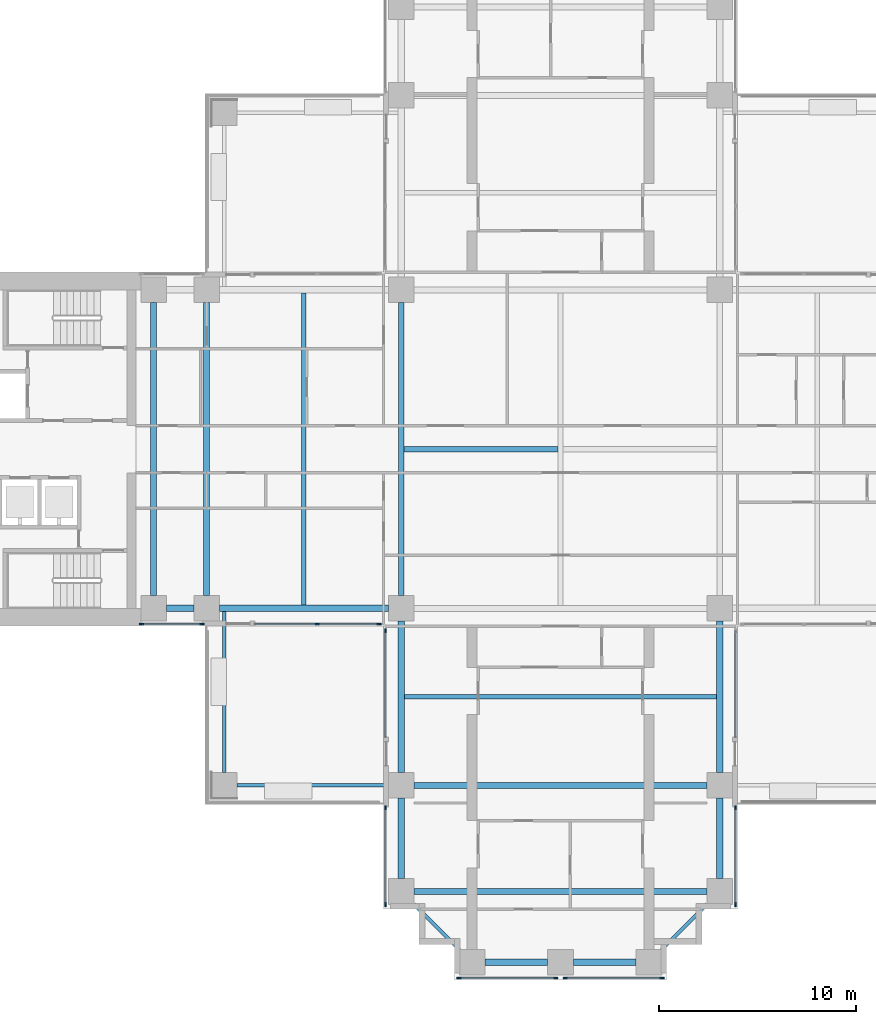
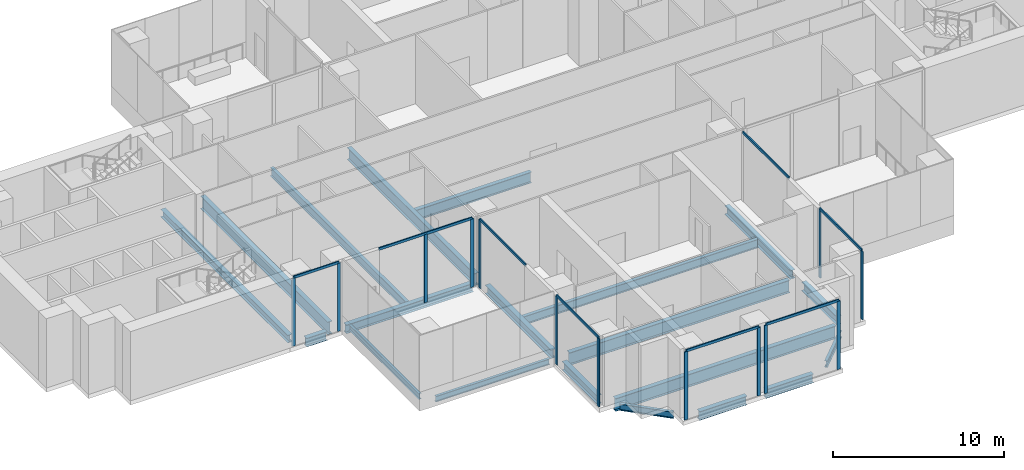
# One storey, part 2 of 17: 21 members, 20 beams, 8 elements without a shape of their own.
"""IFC4 building model written with IfcOpenShell, lengths in metres."""

from ifc_helpers import new_model, si_unit, direction, frame, origin, origin_2d, place, context, subcontext, project, spatial, rectangle, i_section, extrude, material, material_profile, profile_set, type_object, element, aggregate, save


model = new_model("IFC4")

# Units and contexts
model_context = context("Model", 3, precision=1e-05, world=origin(), true_north=direction((0.0, 1.0)))
body_context = subcontext(model_context, "Body", "Model", "MODEL_VIEW")
ifc_project = project(units=[si_unit("LENGTHUNIT", "METRE"), si_unit("AREAUNIT", "SQUARE_METRE"), si_unit("VOLUMEUNIT", "CUBIC_METRE"), si_unit("PLANEANGLEUNIT", "RADIAN"), si_unit("MASSUNIT", "GRAM", prefix="KILO")], contexts=[model_context])

# Site, building, storey
site_placement = place(None, origin())
site = spatial("IfcSite", under=ifc_project, at=site_placement, CompositionType="ELEMENT")
building_placement = place(site_placement, origin())
building = spatial("IfcBuilding", under=site, at=building_placement, Name="Perihelion Cross Residences", CompositionType="ELEMENT")
storey_placement = place(building_placement, frame((0.0, 0.0, 92.5)))
storey = spatial("IfcBuildingStorey", under=building, at=storey_placement, Name="L21", CompositionType="ELEMENT", Elevation=92.5)

# Curtain wall, members
ifc_material_1 = material(Name="Bronze anodised aluminium, tinted glazing", Category="aluminium")
curtain_wall_type = type_object("IfcCurtainWallType", Name="CW3", PredefinedType="NOTDEFINED", material=ifc_material_1)
curtain_wall_1_placement = place(storey_placement, origin())
curtain_wall_1 = element("IfcCurtainWall", 1, at=curtain_wall_1_placement, inside=storey, type_object=curtain_wall_type, Name="Curtain wall CW3 L21 west side south bay 1", PredefinedType="NOTDEFINED")
ifc_material_2 = material(Name="Bronze anodised aluminium", Category="aluminium")
ifc_material_profile_1 = material_profile(ifc_material_2, rectangle(XDim=0.080078125, YDim=0.219970703125, at=origin_2d()), Name="CW3 mullion")
ifc_profile_set_1 = profile_set([ifc_material_profile_1], Name="Bronze anodised aluminium")
member_type_1 = type_object("IfcMemberType", Name="CW3 mullion", PredefinedType="MULLION", material=ifc_profile_set_1)
member_1_placement = place(storey_placement, frame((-21.31005859375, -8.89990234375, 0.0), z_axis=(0.0, 0.0, 1.0), x_axis=(0.0, 1.0, 0.0)))
member_1 = element("IfcMember", 2, at=member_1_placement, type_object=member_type_1, Name="CW3 mullion 1", PredefinedType="MULLION", context=body_context, shape_type="SweptSolid", body=[
    extrude(rectangle(XDim=0.080078125, YDim=0.219970703125, at=origin_2d()), origin(), (0.0, 0.0, 1.0), 4.8701171875),
])
member_2_placement = place(storey_placement, frame((-18.239990234375, -8.89990234375, 0.0), z_axis=(0.0, 0.0, 1.0), x_axis=(0.0, 1.0, 0.0)))
member_2 = element("IfcMember", 3, at=member_2_placement, type_object=member_type_1, Name="CW3 mullion 2", PredefinedType="MULLION", context=body_context, shape_type="SweptSolid", body=[
    extrude(rectangle(XDim=0.080078125, YDim=0.219970703125, at=origin_2d()), origin(), (0.0, 0.0, 1.0), 4.8701171875),
])

curtain_wall_2_placement = place(storey_placement, origin())
curtain_wall_2 = element("IfcCurtainWall", 4, at=curtain_wall_2_placement, inside=storey, type_object=curtain_wall_type, Name="Curtain wall CW3 L21 west side south bay 2", PredefinedType="NOTDEFINED")
member_3_placement = place(storey_placement, frame((-12.375, -8.89990234375, 0.0), z_axis=(0.0, 0.0, 1.0), x_axis=(0.0, 1.0, 0.0)))
member_3 = element("IfcMember", 5, at=member_3_placement, type_object=member_type_1, Name="CW3 mullion 2", PredefinedType="MULLION", context=body_context, shape_type="SweptSolid", body=[
    extrude(rectangle(XDim=0.080078125, YDim=0.219970703125, at=origin_2d()), origin(), (0.0, 0.0, 1.0), 4.8701171875),
])
member_4_placement = place(storey_placement, frame((-9.239990234375, -8.89990234375, 0.0), z_axis=(0.0, 0.0, 1.0), x_axis=(0.0, 1.0, 0.0)))
member_4 = element("IfcMember", 6, at=member_4_placement, type_object=member_type_1, Name="CW3 mullion 3", PredefinedType="MULLION", context=body_context, shape_type="SweptSolid", body=[
    extrude(rectangle(XDim=0.080078125, YDim=0.219970703125, at=origin_2d()), origin(), (0.0, 0.0, 1.0), 4.8701171875),
])

# Curtain wall, member
curtain_wall_3_placement = place(storey_placement, origin())
curtain_wall_3 = element("IfcCurtainWall", 7, at=curtain_wall_3_placement, inside=storey, type_object=curtain_wall_type, Name="Curtain wall CW3 L21 south side west bay 1", PredefinedType="NOTDEFINED")
member_5_placement = place(storey_placement, frame((-8.89990234375, -9.239990234375, 0.0), z_axis=(0.0, 0.0, 1.0), x_axis=(1.0, 0.0, 0.0)))
member_5 = element("IfcMember", 8, at=member_5_placement, type_object=member_type_1, Name="CW3 mullion 1", PredefinedType="MULLION", context=body_context, shape_type="SweptSolid", body=[
    extrude(rectangle(XDim=0.080078125, YDim=0.219970703125, at=origin_2d()), origin(), (0.0, 0.0, 1.0), 4.8701171875),
])

# Curtain wall, members
curtain_wall_4_placement = place(storey_placement, origin())
curtain_wall_4 = element("IfcCurtainWall", 9, at=curtain_wall_4_placement, inside=storey, type_object=curtain_wall_type, Name="Curtain wall CW3 L21 south side west bay 2", PredefinedType="NOTDEFINED")
member_6_placement = place(storey_placement, frame((-8.89990234375, -18.239990234375, 0.0), z_axis=(0.0, 0.0, 1.0), x_axis=(1.0, 0.0, 0.0)))
member_6 = element("IfcMember", 10, at=member_6_placement, type_object=member_type_1, Name="CW3 mullion 1", PredefinedType="MULLION", context=body_context, shape_type="SweptSolid", body=[
    extrude(rectangle(XDim=0.080078125, YDim=0.219970703125, at=origin_2d()), origin(), (0.0, 0.0, 1.0), 4.8701171875),
])
member_7_placement = place(storey_placement, frame((-8.89990234375, -23.159912109375, 0.0), z_axis=(0.0, 0.0, 1.0), x_axis=(1.0, 0.0, 0.0)))
member_7 = element("IfcMember", 11, at=member_7_placement, type_object=member_type_1, Name="CW3 mullion 2", PredefinedType="MULLION", context=body_context, shape_type="SweptSolid", body=[
    extrude(rectangle(XDim=0.080078125, YDim=0.219970703125, at=origin_2d()), origin(), (0.0, 0.0, 1.0), 4.8701171875),
])

curtain_wall_5_placement = place(storey_placement, origin())
curtain_wall_5 = element("IfcCurtainWall", 12, at=curtain_wall_5_placement, inside=storey, type_object=curtain_wall_type, Name="Curtain wall CW3 L21 south tip south bay 1", PredefinedType="NOTDEFINED")
member_8_placement = place(storey_placement, frame((-5.159912109375, -26.89990234375, 0.0), z_axis=(0.0, 0.0, 1.0), x_axis=(0.0, 1.0, 0.0)))
member_8 = element("IfcMember", 13, at=member_8_placement, type_object=member_type_1, Name="CW3 mullion 1", PredefinedType="MULLION", context=body_context, shape_type="SweptSolid", body=[
    extrude(rectangle(XDim=0.080078125, YDim=0.219970703125, at=origin_2d()), origin(), (0.0, 0.0, 1.0), 4.8701171875),
])
member_9_placement = place(storey_placement, frame((-0.239990234375, -26.89990234375, 0.0), z_axis=(0.0, 0.0, 1.0), x_axis=(0.0, 1.0, 0.0)))
member_9 = element("IfcMember", 14, at=member_9_placement, type_object=member_type_1, Name="CW3 mullion 2", PredefinedType="MULLION", context=body_context, shape_type="SweptSolid", body=[
    extrude(rectangle(XDim=0.080078125, YDim=0.219970703125, at=origin_2d()), origin(), (0.0, 0.0, 1.0), 4.8701171875),
])

curtain_wall_6_placement = place(storey_placement, origin())
curtain_wall_6 = element("IfcCurtainWall", 15, at=curtain_wall_6_placement, inside=storey, type_object=curtain_wall_type, Name="Curtain wall CW3 L21 south tip south bay 2", PredefinedType="NOTDEFINED")
member_10_placement = place(storey_placement, frame((0.239990234375, -26.89990234375, 0.0), z_axis=(0.0, 0.0, 1.0), x_axis=(0.0, 1.0, 0.0)))
member_10 = element("IfcMember", 16, at=member_10_placement, type_object=member_type_1, Name="CW3 mullion 1", PredefinedType="MULLION", context=body_context, shape_type="SweptSolid", body=[
    extrude(rectangle(XDim=0.080078125, YDim=0.219970703125, at=origin_2d()), origin(), (0.0, 0.0, 1.0), 4.8701171875),
])
member_11_placement = place(storey_placement, frame((5.159912109375, -26.89990234375, 0.0), z_axis=(0.0, 0.0, 1.0), x_axis=(0.0, 1.0, 0.0)))
member_11 = element("IfcMember", 17, at=member_11_placement, type_object=member_type_1, Name="CW3 mullion 2", PredefinedType="MULLION", context=body_context, shape_type="SweptSolid", body=[
    extrude(rectangle(XDim=0.080078125, YDim=0.219970703125, at=origin_2d()), origin(), (0.0, 0.0, 1.0), 4.8701171875),
])

curtain_wall_7_placement = place(storey_placement, origin())
curtain_wall_7 = element("IfcCurtainWall", 18, at=curtain_wall_7_placement, inside=storey, type_object=curtain_wall_type, Name="Curtain wall CW3 L21 south side east bay 1", PredefinedType="NOTDEFINED")
member_12_placement = place(storey_placement, frame((8.89990234375, -23.159912109375, 0.0), z_axis=(0.0, 0.0, 1.0), x_axis=(-1.0, 0.0, 0.0)))
member_12 = element("IfcMember", 19, at=member_12_placement, type_object=member_type_1, Name="CW3 mullion 1", PredefinedType="MULLION", context=body_context, shape_type="SweptSolid", body=[
    extrude(rectangle(XDim=0.080078125, YDim=0.219970703125, at=origin_2d()), origin(), (0.0, 0.0, 1.0), 4.8701171875),
])
member_13_placement = place(storey_placement, frame((8.89990234375, -18.239990234375, 0.0), z_axis=(0.0, 0.0, 1.0), x_axis=(-1.0, 0.0, 0.0)))
member_13 = element("IfcMember", 20, at=member_13_placement, type_object=member_type_1, Name="CW3 mullion 2", PredefinedType="MULLION", context=body_context, shape_type="SweptSolid", body=[
    extrude(rectangle(XDim=0.080078125, YDim=0.219970703125, at=origin_2d()), origin(), (0.0, 0.0, 1.0), 4.8701171875),
])

# Member
ifc_material_3 = material(Name="Bronze anodised aluminium", Category="aluminium")
ifc_material_profile_2 = material_profile(ifc_material_3, rectangle(XDim=0.080078125, YDim=0.179931640625, at=origin_2d()), Name="CW3 transom")
ifc_profile_set_2 = profile_set([ifc_material_profile_2], Name="Bronze anodised aluminium")
member_type_2 = type_object("IfcMemberType", Name="CW3 transom", PredefinedType="USERDEFINED", material=ifc_profile_set_2)
member_14_placement = place(storey_placement, frame((-21.31005859375, -8.89990234375, 4.909912109375), z_axis=(1.0, 0.0, 0.0), x_axis=(0.0, 1.0, 0.0)))
member_14 = element("IfcMember", 21, at=member_14_placement, type_object=member_type_2, Name="CW3 head transom", ObjectType="TRANSOM", PredefinedType="USERDEFINED", context=body_context, shape_type="SweptSolid", body=[
    extrude(rectangle(XDim=0.080078125, YDim=0.179931640625, at=origin_2d()), origin(), (0.0, 0.0, 1.0), 3.070068359375),
])

aggregate(curtain_wall_1, [member_1, member_2, member_14])

member_15_placement = place(storey_placement, frame((-15.550048828125, -8.89990234375, 4.909912109375), z_axis=(1.0, 0.0, 0.0), x_axis=(0.0, 1.0, 0.0)))
member_15 = element("IfcMember", 22, at=member_15_placement, type_object=member_type_2, Name="CW3 head transom", ObjectType="TRANSOM", PredefinedType="USERDEFINED", context=body_context, shape_type="SweptSolid", body=[
    extrude(rectangle(XDim=0.080078125, YDim=0.179931640625, at=origin_2d()), origin(), (0.0, 0.0, 1.0), 6.31005859375),
])

aggregate(curtain_wall_2, [member_3, member_4, member_15])

member_16_placement = place(storey_placement, frame((-8.89990234375, -9.239990234375, 4.909912109375), z_axis=(0.0, -1.0, 0.0), x_axis=(1.0, 0.0, 0.0)))
member_16 = element("IfcMember", 23, at=member_16_placement, type_object=member_type_2, Name="CW3 head transom", ObjectType="TRANSOM", PredefinedType="USERDEFINED", context=body_context, shape_type="SweptSolid", body=[
    extrude(rectangle(XDim=0.080078125, YDim=0.179931640625, at=origin_2d()), origin(), (0.0, 0.0, 1.0), 5.409912109375),
])

aggregate(curtain_wall_3, [member_5, member_16])

member_17_placement = place(storey_placement, frame((-8.89990234375, -18.239990234375, 4.909912109375), z_axis=(0.0, -1.0, 0.0), x_axis=(1.0, 0.0, 0.0)))
member_17 = element("IfcMember", 24, at=member_17_placement, type_object=member_type_2, Name="CW3 head transom", ObjectType="TRANSOM", PredefinedType="USERDEFINED", context=body_context, shape_type="SweptSolid", body=[
    extrude(rectangle(XDim=0.080078125, YDim=0.179931640625, at=origin_2d()), origin(), (0.0, 0.0, 1.0), 4.919921875),
])

aggregate(curtain_wall_4, [member_6, member_7, member_17])

member_18_placement = place(storey_placement, frame((-5.159912109375, -26.89990234375, 4.909912109375), z_axis=(1.0, 0.0, 0.0), x_axis=(0.0, 1.0, 0.0)))
member_18 = element("IfcMember", 25, at=member_18_placement, type_object=member_type_2, Name="CW3 head transom", ObjectType="TRANSOM", PredefinedType="USERDEFINED", context=body_context, shape_type="SweptSolid", body=[
    extrude(rectangle(XDim=0.080078125, YDim=0.179931640625, at=origin_2d()), origin(), (0.0, 0.0, 1.0), 4.919921875),
])

aggregate(curtain_wall_5, [member_8, member_9, member_18])

member_19_placement = place(storey_placement, frame((0.239990234375, -26.89990234375, 4.909912109375), z_axis=(1.0, 0.0, 0.0), x_axis=(0.0, 1.0, 0.0)))
member_19 = element("IfcMember", 26, at=member_19_placement, type_object=member_type_2, Name="CW3 head transom", ObjectType="TRANSOM", PredefinedType="USERDEFINED", context=body_context, shape_type="SweptSolid", body=[
    extrude(rectangle(XDim=0.080078125, YDim=0.179931640625, at=origin_2d()), origin(), (0.0, 0.0, 1.0), 4.919921875),
])

aggregate(curtain_wall_6, [member_10, member_11, member_19])

member_20_placement = place(storey_placement, frame((8.89990234375, -23.159912109375, 4.909912109375), z_axis=(0.0, 1.0, 0.0), x_axis=(-1.0, 0.0, 0.0)))
member_20 = element("IfcMember", 27, at=member_20_placement, type_object=member_type_2, Name="CW3 head transom", ObjectType="TRANSOM", PredefinedType="USERDEFINED", context=body_context, shape_type="SweptSolid", body=[
    extrude(rectangle(XDim=0.080078125, YDim=0.179931640625, at=origin_2d()), origin(), (0.0, 0.0, 1.0), 4.919921875),
])

aggregate(curtain_wall_7, [member_12, member_13, member_20])

# Curtain wall, member
curtain_wall_8_placement = place(storey_placement, origin())
curtain_wall_8 = element("IfcCurtainWall", 28, at=curtain_wall_8_placement, inside=storey, type_object=curtain_wall_type, Name="Curtain wall CW3 L21 south side east bay 2", PredefinedType="NOTDEFINED")
member_21_placement = place(storey_placement, frame((8.89990234375, -14.64990234375, 4.909912109375), z_axis=(0.0, 1.0, 0.0), x_axis=(-1.0, 0.0, 0.0)))
member_21 = element("IfcMember", 29, at=member_21_placement, type_object=member_type_2, Name="CW3 head transom", ObjectType="TRANSOM", PredefinedType="USERDEFINED", context=body_context, shape_type="SweptSolid", body=[
    extrude(rectangle(XDim=0.080078125, YDim=0.179931640625, at=origin_2d()), origin(), (0.0, 0.0, 1.0), 5.409912109375),
])
aggregate(curtain_wall_8, [member_21])

# Beams
ifc_material_4 = material(Name="Steel S355", Category="steel")
ifc_material_profile_3 = material_profile(ifc_material_4, i_section(OverallWidth=0.177978515625, OverallDepth=0.406005859375, WebThickness=0.0078125, FlangeThickness=0.0126953125, at=origin_2d()), Name="W410x60")
ifc_profile_set_3 = profile_set([ifc_material_profile_3], Name="Steel S355")
beam_type_1 = type_object("IfcBeamType", Name="Core edge beam W410x60", PredefinedType="BEAM", material=ifc_profile_set_3)
beam_1_placement = place(storey_placement, frame((-17.10009765625, -8.262451171875, -0.5029296875), z_axis=(0.0, -1.0, 0.0), x_axis=(1.0, 0.0, 0.0)))
element("IfcBeam", 30, at=beam_1_placement, inside=storey, type_object=beam_type_1, Name="Core edge beam TB2 L21 corner no. 1", PredefinedType="BEAM", context=body_context, shape_type="SweptSolid", body=[
    extrude(i_section(OverallWidth=0.177978515625, OverallDepth=0.406005859375, WebThickness=0.0078125, FlangeThickness=0.0126953125, at=origin_2d()), origin(), (0.0, 0.0, 1.0), 8.1875),
])
beam_2_placement = place(storey_placement, frame((-8.75, -17.10009765625, -0.5029296875), z_axis=(-1.0, 0.0, 0.0), x_axis=(0.0, -1.0, 0.0)))
element("IfcBeam", 31, at=beam_2_placement, inside=storey, type_object=beam_type_1, Name="Core edge beam TB2 L21 corner no. 2", PredefinedType="BEAM", context=body_context, shape_type="SweptSolid", body=[
    extrude(i_section(OverallWidth=0.177978515625, OverallDepth=0.406005859375, WebThickness=0.0078125, FlangeThickness=0.0126953125, at=origin_2d()), origin(), (0.0, 0.0, 1.0), 7.699951171875),
])
ifc_material_5 = material(Name="Steel S355", Category="steel")
ifc_material_profile_4 = material_profile(ifc_material_5, i_section(OverallWidth=0.31201171875, OverallDepth=0.5439453125, WebThickness=0.0126953125, FlangeThickness=0.020263671875, at=origin_2d()), Name="W530x150")
ifc_profile_set_4 = profile_set([ifc_material_profile_4], Name="Steel S355")
beam_type_2 = type_object("IfcBeamType", Name="Core edge beam W530x150", PredefinedType="BEAM", material=ifc_profile_set_4)
beam_3_placement = place(storey_placement, frame((-20.699951171875, -7.449951171875, -0.572021484375), z_axis=(0.0, 1.0, 0.0), x_axis=(-1.0, 0.0, 0.0)))
element("IfcBeam", 32, at=beam_3_placement, inside=storey, type_object=beam_type_2, Name="Core edge beam TB4 L21 no. 1", PredefinedType="BEAM", context=body_context, shape_type="SweptSolid", body=[
    extrude(i_section(OverallWidth=0.31201171875, OverallDepth=0.5439453125, WebThickness=0.0126953125, FlangeThickness=0.020263671875, at=origin_2d()), origin(), (0.0, 0.0, 1.0), 14.89990234375),
])
ifc_material_6 = material(Name="Steel S355", Category="steel")
ifc_material_profile_5 = material_profile(ifc_material_6, i_section(OverallWidth=0.324951171875, OverallDepth=0.616943359375, WebThickness=0.013916015625, FlangeThickness=0.021484375, at=origin_2d()), Name="W610x174")
ifc_profile_set_5 = profile_set([ifc_material_profile_5], Name="Steel S355")
beam_type_3 = type_object("IfcBeamType", Name="Edge beam W610x174", PredefinedType="SPANDREL", material=ifc_profile_set_5)
beam_4_placement = place(storey_placement, frame((-20.050048828125, -8.10009765625, -0.6083984375), z_axis=(1.0, 0.0, 0.0), x_axis=(0.0, 1.0, 0.0)))
element("IfcBeam", 33, at=beam_4_placement, inside=storey, type_object=beam_type_3, Name="Edge beam SB2 L21 no. 3", PredefinedType="SPANDREL", context=body_context, shape_type="SweptSolid", body=[
    extrude(i_section(OverallWidth=0.324951171875, OverallDepth=0.616943359375, WebThickness=0.013916015625, FlangeThickness=0.021484375, at=origin_2d()), origin(), (0.0, 0.0, 1.0), 1.400146484375),
])
beam_5_placement = place(storey_placement, frame((-17.35009765625, -8.10009765625, -0.6083984375), z_axis=(1.0, 0.0, 0.0), x_axis=(0.0, 1.0, 0.0)))
element("IfcBeam", 34, at=beam_5_placement, inside=storey, type_object=beam_type_3, Name="Edge beam SB2 L21 no. 1", PredefinedType="SPANDREL", context=body_context, shape_type="SweptSolid", body=[
    extrude(i_section(OverallWidth=0.324951171875, OverallDepth=0.616943359375, WebThickness=0.013916015625, FlangeThickness=0.021484375, at=origin_2d()), origin(), (0.0, 0.0, 1.0), 8.60009765625),
])
beam_6_placement = place(storey_placement, frame((-8.10009765625, -8.75, -0.6083984375), z_axis=(0.0, -1.0, 0.0), x_axis=(1.0, 0.0, 0.0)))
element("IfcBeam", 35, at=beam_6_placement, inside=storey, type_object=beam_type_3, Name="Edge beam SB2 L21 no. 6", PredefinedType="SPANDREL", context=body_context, shape_type="SweptSolid", body=[
    extrude(i_section(OverallWidth=0.324951171875, OverallDepth=0.616943359375, WebThickness=0.013916015625, FlangeThickness=0.021484375, at=origin_2d()), origin(), (0.0, 0.0, 1.0), 7.699951171875),
])
beam_7_placement = place(storey_placement, frame((-8.10009765625, -17.75, -0.6083984375), z_axis=(0.0, -1.0, 0.0), x_axis=(1.0, 0.0, 0.0)))
element("IfcBeam", 36, at=beam_7_placement, inside=storey, type_object=beam_type_3, Name="Edge beam SB2 L21 no. 5", PredefinedType="SPANDREL", context=body_context, shape_type="SweptSolid", body=[
    extrude(i_section(OverallWidth=0.324951171875, OverallDepth=0.616943359375, WebThickness=0.013916015625, FlangeThickness=0.021484375, at=origin_2d()), origin(), (0.0, 0.0, 1.0), 4.10009765625),
])
for number, where, z_axis, x_axis, name in (
    (37, (-3.85009765625, -26.10009765625, -0.6083984375), (1.0, 0.0, 0.0), (0.0, 1.0, 0.0), "Edge beam SB2 L21 no. 4"),
    (38, (0.64990234375, -26.10009765625, -0.6083984375), (1.0, 0.0, 0.0), (0.0, 1.0, 0.0), "Edge beam SB2 L21 no. 10"),
):
    element("IfcBeam", number, at=place(storey_placement, frame(where, z_axis=z_axis, x_axis=x_axis)), inside=storey, type_object=beam_type_3, Name=name, PredefinedType="SPANDREL", context=body_context, shape_type="SweptSolid", body=[
        extrude(i_section(OverallWidth=0.324951171875, OverallDepth=0.616943359375, WebThickness=0.013916015625, FlangeThickness=0.021484375, at=origin_2d()), origin(), (0.0, 0.0, 1.0), 3.2001953125),
    ])
beam_8_placement = place(storey_placement, frame((8.10009765625, -21.85009765625, -0.6083984375), z_axis=(0.0, 1.0, 0.0), x_axis=(-1.0, 0.0, 0.0)))
element("IfcBeam", 39, at=beam_8_placement, inside=storey, type_object=beam_type_3, Name="Edge beam SB2 L21 no. 17", PredefinedType="SPANDREL", context=body_context, shape_type="SweptSolid", body=[
    extrude(i_section(OverallWidth=0.324951171875, OverallDepth=0.616943359375, WebThickness=0.013916015625, FlangeThickness=0.021484375, at=origin_2d()), origin(), (0.0, 0.0, 1.0), 4.10009765625),
])
beam_9_placement = place(storey_placement, frame((8.10009765625, -16.449951171875, -0.6083984375), z_axis=(0.0, 1.0, 0.0), x_axis=(-1.0, 0.0, 0.0)))
element("IfcBeam", 40, at=beam_9_placement, inside=storey, type_object=beam_type_3, Name="Edge beam SB2 L21 no. 16", PredefinedType="SPANDREL", context=body_context, shape_type="SweptSolid", body=[
    extrude(i_section(OverallWidth=0.324951171875, OverallDepth=0.616943359375, WebThickness=0.013916015625, FlangeThickness=0.021484375, at=origin_2d()), origin(), (0.0, 0.0, 1.0), 7.699951171875),
])
ifc_material_7 = material(Name="Steel S355", Category="steel")
ifc_material_profile_6 = material_profile(ifc_material_7, i_section(OverallWidth=0.304931640625, OverallDepth=0.904052734375, WebThickness=0.01513671875, FlangeThickness=0.02001953125, at=origin_2d()), Name="W920x201")
ifc_profile_set_6 = profile_set([ifc_material_profile_6], Name="Steel S355")
beam_type_4 = type_object("IfcBeamType", Name="Floor girder W920x201", PredefinedType="BEAM", material=ifc_profile_set_6)
for number, where, z_axis, x_axis, name in (
    (41, (-7.449951171875, -17.10009765625, -0.751953125), (1.0, 0.0, 0.0), (0.0, 1.0, 0.0), "Girder G2 L21 no. 3"),
    (42, (-7.449951171875, -22.5, -0.751953125), (1.0, 0.0, 0.0), (0.0, 1.0, 0.0), "Girder G2 L21 no. 4"),
    (43, (-18.0, -7.449951171875, -0.751953125), (0.0, 1.0, 0.0), (-1.0, 0.0, 0.0), "Girder G2 L21 no. 1"),
):
    element("IfcBeam", number, at=place(storey_placement, frame(where, z_axis=z_axis, x_axis=x_axis)), inside=storey, type_object=beam_type_4, Name=name, PredefinedType="BEAM", context=body_context, shape_type="SweptSolid", body=[
        extrude(i_section(OverallWidth=0.304931640625, OverallDepth=0.904052734375, WebThickness=0.01513671875, FlangeThickness=0.02001953125, at=origin_2d()), origin(), (0.0, 0.0, 1.0), 14.89990234375),
    ])
ifc_material_8 = material(Name="Steel S355", Category="steel")
ifc_material_profile_7 = material_profile(ifc_material_8, i_section(OverallWidth=0.22900390625, OverallDepth=0.612060546875, WebThickness=0.011962890625, FlangeThickness=0.01953125, at=origin_2d()), Name="W610x125")
ifc_profile_set_7 = profile_set([ifc_material_profile_7], Name="Steel S355")
beam_type_5 = type_object("IfcBeamType", Name="Floor joist W610x125", PredefinedType="JOIST", material=ifc_profile_set_7)
for number, where, z_axis, x_axis, name in (
    (44, (-7.9375, -12.60009765625, -0.60595703125), (1.0, 0.0, 0.0), (0.0, 1.0, 0.0), "Joist J3 L21 no. 3"),
    (45, (-13.050048828125, -7.9375, -0.60595703125), (0.0, 1.0, 0.0), (-1.0, 0.0, 0.0), "Joist J3 L21 no. 1"),
):
    element("IfcBeam", number, at=place(storey_placement, frame(where, z_axis=z_axis, x_axis=x_axis)), inside=storey, type_object=beam_type_5, Name=name, PredefinedType="JOIST", context=body_context, shape_type="SweptSolid", body=[
        extrude(i_section(OverallWidth=0.22900390625, OverallDepth=0.612060546875, WebThickness=0.011962890625, FlangeThickness=0.01953125, at=origin_2d()), origin(), (0.0, 0.0, 1.0), 15.875),
    ])
ifc_material_9 = material(Name="Steel S355", Category="steel")
ifc_material_profile_8 = material_profile(ifc_material_9, i_section(OverallWidth=0.26708984375, OverallDepth=0.77001953125, WebThickness=0.015625, FlangeThickness=0.025390625, at=origin_2d()), Name="W760x196")
ifc_profile_set_8 = profile_set([ifc_material_profile_8], Name="Steel S355")
beam_type_6 = type_object("IfcBeamType", Name="Hub cross beam W760x196", PredefinedType="BEAM", material=ifc_profile_set_8)
beam_10_placement = place(storey_placement, frame((-7.9541015625, 0.0, -0.68505859375), z_axis=(1.0, 0.0, 0.0), x_axis=(0.0, 1.0, 0.0)))
element("IfcBeam", 46, at=beam_10_placement, inside=storey, type_object=beam_type_6, Name="Hub cross beam XB2 L21 1 no. 1", PredefinedType="BEAM", context=body_context, shape_type="SweptSolid", body=[
    extrude(i_section(OverallWidth=0.26708984375, OverallDepth=0.77001953125, WebThickness=0.015625, FlangeThickness=0.025390625, at=origin_2d()), origin(), (0.0, 0.0, 1.0), 7.820556640625),
])
ifc_material_10 = material(Name="Steel S355", Category="steel")
ifc_material_profile_9 = material_profile(ifc_material_10, i_section(OverallWidth=0.2919921875, OverallDepth=0.85888671875, WebThickness=0.01708984375, FlangeThickness=0.031005859375, at=origin_2d()), Name="W840x251")
ifc_profile_set_9 = profile_set([ifc_material_profile_9], Name="Steel S355")
beam_type_7 = type_object("IfcBeamType", Name="Hub ring girder W840x251", PredefinedType="BEAM", material=ifc_profile_set_9)
beam_11_placement = place(storey_placement, frame((-8.10009765625, 7.449951171875, -0.7294921875), z_axis=(0.0, -1.0, 0.0), x_axis=(1.0, 0.0, 0.0)))
element("IfcBeam", 47, at=beam_11_placement, inside=storey, type_object=beam_type_7, Name="Hub ring girder RG2 L21 no. 2", PredefinedType="BEAM", context=body_context, shape_type="SweptSolid", body=[
    extrude(i_section(OverallWidth=0.2919921875, OverallDepth=0.85888671875, WebThickness=0.01708984375, FlangeThickness=0.031005859375, at=origin_2d()), origin(), (0.0, 0.0, 1.0), 14.89990234375),
])
ifc_material_11 = material(Name="Steel S355", Category="steel")
ifc_material_profile_10 = material_profile(ifc_material_11, i_section(OverallWidth=0.194091796875, OverallDepth=0.469970703125, WebThickness=0.0126953125, FlangeThickness=0.0205078125, at=origin_2d()), Name="W460x106")
ifc_profile_set_10 = profile_set([ifc_material_profile_10], Name="Steel S355")
beam_type_8 = type_object("IfcBeamType", Name="Serration edge beam W460x106", PredefinedType="BEAM", material=ifc_profile_set_10)
for number, where, z_axis, x_axis, name in (
    (48, (5.14990234375, -25.449951171875, -0.534912109375), (0.707106781187, 0.707106781187, 0.0), (-0.707106781187, 0.707106781187, 0.0), "Serration edge beam EB2 L21 no. 3"),
    (49, (-7.449951171875, -23.14990234375, -0.534912109375), (0.707106781187, -0.707106781187, 0.0), (0.707106781187, 0.707106781187, 0.0), "Serration edge beam EB2 L21 no. 2"),
):
    element("IfcBeam", number, at=place(storey_placement, frame(where, z_axis=z_axis, x_axis=x_axis)), inside=storey, type_object=beam_type_8, Name=name, PredefinedType="BEAM", context=body_context, shape_type="SweptSolid", body=[
        extrude(i_section(OverallWidth=0.194091796875, OverallDepth=0.469970703125, WebThickness=0.0126953125, FlangeThickness=0.0205078125, at=origin_2d()), origin(), (0.0, 0.0, 1.0), 3.252685546875),
    ])

save(model, "model.ifc")
